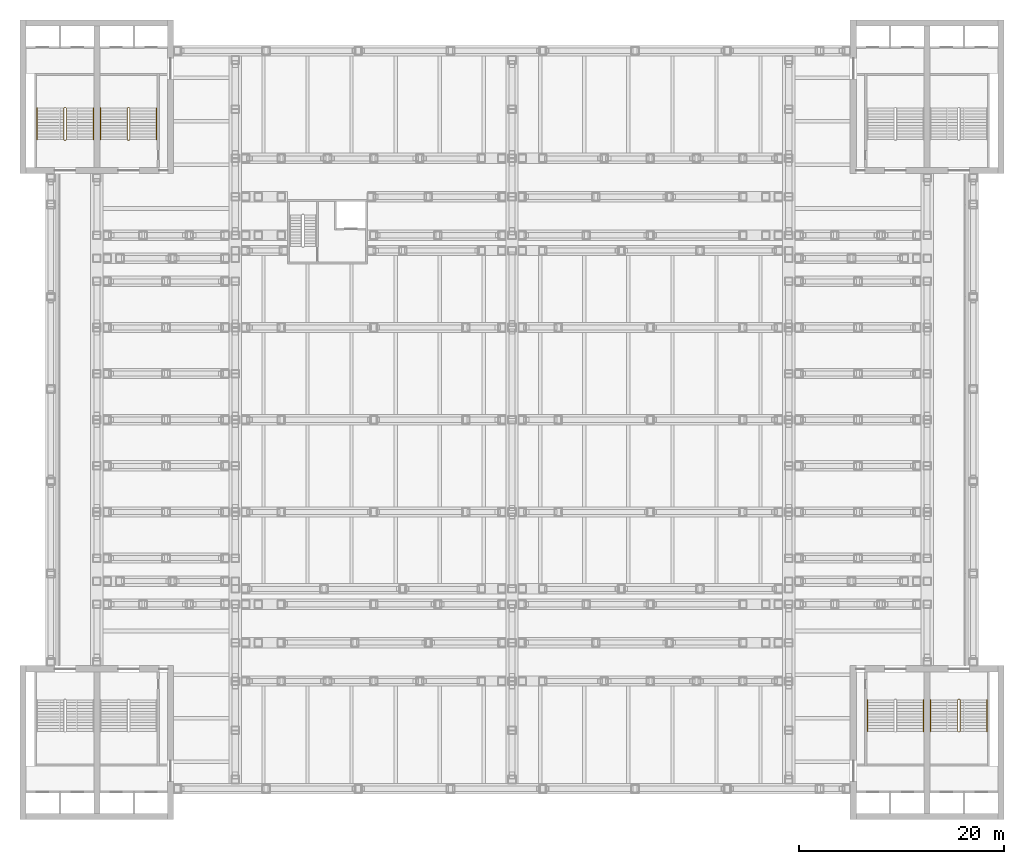
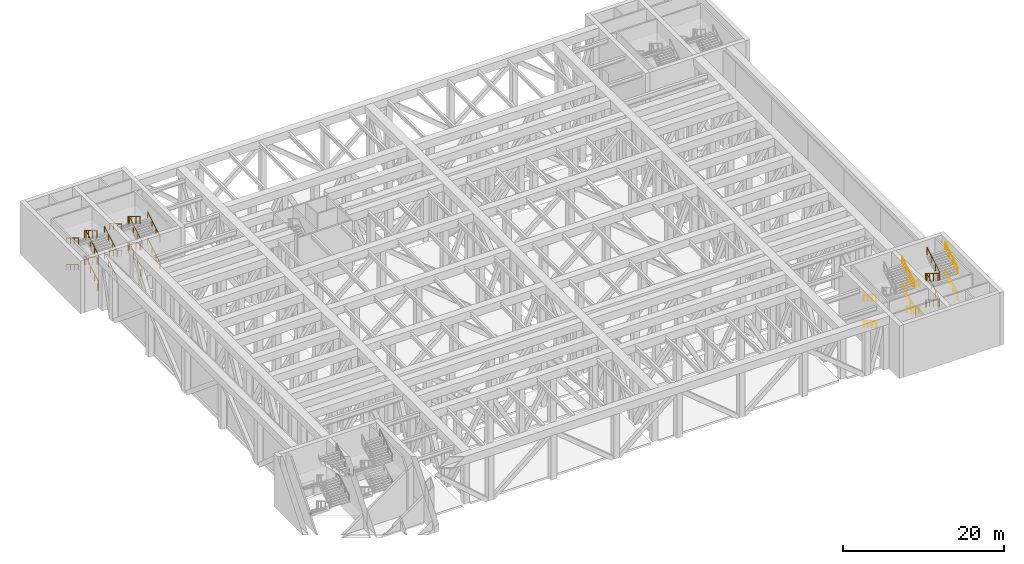
# One storey, part 19 of 20: 7 railings.
"""IFC4 building model written with IfcOpenShell, lengths in metres."""

import ifcopenshell
import ifcopenshell.guid

model = None  # the IFC model being written
_history = None  # IfcOwnerHistory: only IFC2X3 demands one
_inside = {}  # id of a spatial element -> (the spatial element, [elements in it])
_under = {}  # id of a project, library or spatial element -> (it, [spatial elements below it])
_declared = {}  # id of a project -> (the project, [libraries it declares])
_typed = {}  # id of a type object -> (the type object, [elements of that type])
_made_of = {}  # id of a material, layer set ... -> (it, [elements and type objects made of it])


def new_model(schema):
    """Start an empty IFC model of exactly this schema.

    Asked for "IFC4X3", IfcOpenShell would pick the latest addendum, in which some entities
    have other attributes; the version numbers below select the first issue.
    IFC2X3 requires an IfcOwnerHistory on every rooted entity: one is made here for all.
    """
    global model, _history
    if schema == "IFC4X3":
        model = ifcopenshell.file(schema_version=(4, 3, 0, 0))
    else:
        model = ifcopenshell.file(schema=schema)
    _inside.clear()
    _under.clear()
    _declared.clear()
    _typed.clear()
    _made_of.clear()
    _history = None
    if model.schema == "IFC2X3":
        org = make("IfcOrganization", Name="unknown")
        user = make(
            "IfcPersonAndOrganization",
            ThePerson=make("IfcPerson", FamilyName="unknown"),
            TheOrganization=org,
        )
        app = make(
            "IfcApplication",
            ApplicationDeveloper=org,
            Version="unknown",
            ApplicationFullName="unknown",
            ApplicationIdentifier="unknown",
        )
        _history = make(
            "IfcOwnerHistory",
            OwningUser=user,
            OwningApplication=app,
            ChangeAction="ADDED",
            CreationDate=0,
        )
    return model


def make(cls, **values):
    """One entity of the class cls with the attributes given. An attribute that is None is left unset."""
    return model.create_entity(
        cls, **{name: value for name, value in values.items() if value is not None}
    )


def rooted(cls, **values):
    """An entity with a GlobalId (a new one), such as an element, a storey or a relation."""
    return make(cls, GlobalId=ifcopenshell.guid.new(), OwnerHistory=_history, **values)


def si_unit(unit_type, name, prefix=None):
    """IfcSIUnit, for example si_unit("LENGTHUNIT", "METRE", prefix="MILLI")."""
    return make("IfcSIUnit", UnitType=unit_type, Prefix=prefix, Name=name)


def assignment(units):
    """IfcUnitAssignment: the units of a project."""
    return None if units is None else make("IfcUnitAssignment", Units=units)


def point(xyz):
    """IfcCartesianPoint."""
    return None if xyz is None else make("IfcCartesianPoint", Coordinates=xyz)


def direction(xyz):
    """IfcDirection."""
    return None if xyz is None else make("IfcDirection", DirectionRatios=xyz)


def frame(location, z_axis=None, x_axis=None):
    """IfcAxis2Placement3D, a coordinate frame: its origin and axes. An axis left out is left unset."""
    return make(
        "IfcAxis2Placement3D",
        Location=point(location),
        Axis=direction(z_axis),
        RefDirection=direction(x_axis),
    )


def frame_2d(location, x_axis=None):
    """IfcAxis2Placement2D, a coordinate frame in the plane: its origin and x axis."""
    return make(
        "IfcAxis2Placement2D", Location=point(location), RefDirection=direction(x_axis)
    )


def origin():
    """The frame at (0, 0, 0) with its axes left unset."""
    return frame((0.0, 0.0, 0.0))


def origin_2d():
    """The frame at (0, 0) in the plane with its x axis left unset."""
    return frame_2d((0.0, 0.0))


def place(relative_to, where):
    """IfcLocalPlacement: puts the frame where relative to a parent placement (None: the world)."""
    return make(
        "IfcLocalPlacement", PlacementRelTo=relative_to, RelativePlacement=where
    )


def context(
    kind, dimensions, precision=None, world=None, true_north=None, identifier=None
):
    """IfcGeometricRepresentationContext, for example the 3D "Model" context."""
    return make(
        "IfcGeometricRepresentationContext",
        ContextIdentifier=identifier,
        ContextType=kind,
        CoordinateSpaceDimension=dimensions,
        Precision=precision,
        WorldCoordinateSystem=world,
        TrueNorth=true_north,
    )


def subcontext(parent, identifier, kind, view, scale=None):
    """IfcGeometricRepresentationSubContext, for example "Body" below "Model"."""
    return make(
        "IfcGeometricRepresentationSubContext",
        ContextIdentifier=identifier,
        ContextType=kind,
        ParentContext=parent,
        TargetScale=scale,
        TargetView=view,
    )


def project(units=None, contexts=None):
    """IfcProject with its units and contexts."""
    return rooted(
        "IfcProject",
        Name="project",
        RepresentationContexts=contexts,
        UnitsInContext=assignment(units),
    )


def spatial(cls, under=None, at=None, **own):
    """A site, building, storey or space (cls), placed at a placement, below another one or the project."""
    s = rooted(cls, ObjectPlacement=at, **own)
    if under is not None:
        _under.setdefault(under.id(), (under, []))[1].append(s)
    return s


def profile(cls, at=None, kind="AREA", **sizes):
    """A parametric profile (cls). Its sizes go by their IFC names, for example OverallWidth=200.0."""
    return make(cls, ProfileType=kind, Position=at, **sizes)


def circle(**sizes):
    """IfcCircleProfileDef."""
    return profile("IfcCircleProfileDef", **sizes)


def extrude(swept, where, along, depth):
    """IfcExtrudedAreaSolid: the profile swept, set in the frame where, extruded along a direction by depth."""
    return make(
        "IfcExtrudedAreaSolid",
        SweptArea=swept,
        Position=where,
        ExtrudedDirection=direction(along),
        Depth=depth,
    )


def shape(context_of_items, identifier, shape_type, items):
    """IfcShapeRepresentation: the items that make up one representation, for example the "Body"."""
    return make(
        "IfcShapeRepresentation",
        ContextOfItems=context_of_items,
        RepresentationIdentifier=identifier,
        RepresentationType=shape_type,
        Items=items,
    )


def material(Name=None, Category=None):
    """IfcMaterial."""
    return make("IfcMaterial", Name=Name, Category=Category)


def made_of(thing, what):
    """Note that an element or type object is made of a material, layer set ...; save() writes the relation."""
    if what is not None:
        _made_of.setdefault(what.id(), (what, []))[1].append(thing)
    return thing


def type_object(cls, material=None, **own):
    """A type object (cls), such as IfcWallType, which elements share."""
    return made_of(rooted(cls, **own), material)


def element(
    cls,
    number,
    at=None,
    inside=None,
    cuts=None,
    type_object=None,
    material=None,
    context=None,
    identifier="Body",
    shape_type=None,
    held_by="IfcProductDefinitionShape",
    body=None,
    shapes=None,
    **own,
):
    """One element of the class cls, such as IfcWall. Its Tag is "e" and its number.

    at: its placement. inside: the storey or other place that contains it. cuts: it is an
    opening in that element (IfcRelVoidsElement). A single representation is given by context,
    identifier, shape_type and body (its items); several are given by shapes. held_by: the class
    of the entity that holds the representations. save() writes the other relations.
    """
    e = rooted(cls, Tag="e%d" % number, ObjectPlacement=at, **own)
    if body is not None:
        shapes = [shape(context, identifier, shape_type, body)]
    if shapes is not None:
        e.Representation = make(held_by, Representations=shapes)
    if inside is not None:
        _inside.setdefault(inside.id(), (inside, []))[1].append(e)
    if cuts is not None:
        rooted(
            "IfcRelVoidsElement", RelatingBuildingElement=cuts, RelatedOpeningElement=e
        )
    if type_object is not None:
        _typed.setdefault(type_object.id(), (type_object, []))[1].append(e)
    return made_of(e, material)


def aggregate(whole, parts):
    """IfcRelAggregates: a whole, such as a stair, and the parts it consists of."""
    return rooted("IfcRelAggregates", RelatingObject=whole, RelatedObjects=parts)


def save(model, path):
    """Write the relations noted so far, then the file.

    IfcRelAggregates (storeys below a building ...), IfcRelContainedInSpatialStructure (elements
    in a storey), IfcRelDefinesByType, IfcRelAssociatesMaterial and IfcRelDeclares: one each for
    every whole, place, type object, material and project.
    """
    for whole, parts in _under.values():
        aggregate(whole, parts)
    for where, things in _inside.values():
        rooted(
            "IfcRelContainedInSpatialStructure",
            RelatedElements=things,
            RelatingStructure=where,
        )
    for kind, things in _typed.values():
        rooted("IfcRelDefinesByType", RelatedObjects=things, RelatingType=kind)
    for what, things in _made_of.values():
        rooted("IfcRelAssociatesMaterial", RelatedObjects=things, RelatingMaterial=what)
    for by, libraries in _declared.values():
        rooted("IfcRelDeclares", RelatingContext=by, RelatedDefinitions=libraries)
    model.write(path)


model = new_model("IFC4")

# Units and contexts
model_context = context("Model", 3, precision=1e-05, world=origin(), true_north=direction((0.0, 1.0)))
body_context = subcontext(model_context, "Body", "Model", "MODEL_VIEW")
ifc_project = project(units=[si_unit("LENGTHUNIT", "METRE"), si_unit("AREAUNIT", "SQUARE_METRE"), si_unit("VOLUMEUNIT", "CUBIC_METRE"), si_unit("PLANEANGLEUNIT", "RADIAN"), si_unit("MASSUNIT", "GRAM", prefix="KILO")], contexts=[model_context])

# Site, building, storey
site_placement = place(None, origin())
site = spatial("IfcSite", under=ifc_project, at=site_placement, CompositionType="ELEMENT")
building_placement = place(site_placement, origin())
building = spatial("IfcBuilding", under=site, at=building_placement, Name="Corbelhall Arena Tower", CompositionType="ELEMENT")
storey_placement = place(building_placement, frame((0.0, 0.0, 44.0)))
storey = spatial("IfcBuildingStorey", under=building, at=storey_placement, Name="L06", CompositionType="ELEMENT", Elevation=44.0)

# Railings
ifc_material = material(Name="Stainless steel A4", Category="steel")
railing_type_1 = type_object("IfcRailingType", Name="AR-STAIR-GUARD", PredefinedType="GUARDRAIL", material=ifc_material)
railing_1_placement = place(storey_placement, frame((-37.280029296875, 27.320068359375, 0.166748046875)))
element("IfcRailing", 1, at=railing_1_placement, inside=storey, type_object=railing_type_1, Name="L06 AS3 stair guards", PredefinedType="GUARDRAIL", context=body_context, shape_type="SweptSolid", body=[
    extrude(circle(Radius=0.02392578125, at=origin_2d()), frame((0.0, 0.0, 1.076171875), z_axis=(0.0, 0.859290745958, 0.51148745235), x_axis=(-1.0, 0.0, 0.0)), (0.0, 0.0, 1.0), 3.584228515625),
    extrude(circle(Radius=0.02392578125, at=origin_2d()), frame((-0.050048828125, 3.1298828125, 2.9091796875), z_axis=(-1.0, 0.0, 0.0), x_axis=(0.0, -1.0, 0.0)), (0.0, 0.0, 1.0), 0.14990234375),
    extrude(circle(Radius=0.02392578125, at=origin_2d()), frame((-0.25, 3.079833984375, 3.076171875), z_axis=(0.0, -0.859290745958, 0.51148745235), x_axis=(1.0, 0.0, 0.0)), (0.0, 0.0, 1.0), 3.584228515625),
    extrude(circle(Radius=0.02392578125, at=origin_2d()), frame((-0.050048828125, -0.050048828125, 4.9091796875), z_axis=(-1.0, 0.0, 0.0), x_axis=(0.0, -1.0, 0.0)), (0.0, 0.0, 1.0), 0.14990234375),
    extrude(circle(Radius=0.02392578125, at=origin_2d()), frame((0.0, 0.0, 5.076171875), z_axis=(0.0, 0.859290745958, 0.51148745235), x_axis=(-1.0, 0.0, 0.0)), (0.0, 0.0, 1.0), 3.584228515625),
    extrude(circle(Radius=0.02392578125, at=origin_2d()), frame((-0.050048828125, 3.1298828125, 6.9091796875), z_axis=(-1.0, 0.0, 0.0), x_axis=(0.0, -1.0, 0.0)), (0.0, 0.0, 1.0), 0.14990234375),
    extrude(circle(Radius=0.02392578125, at=origin_2d()), frame((-0.25, 3.079833984375, 7.076171875), z_axis=(0.0, -0.859290745958, 0.51148745235), x_axis=(1.0, 0.0, 0.0)), (0.0, 0.0, 1.0), 3.584228515625),
    extrude(circle(Radius=0.02392578125, at=origin_2d()), frame((-0.050048828125, -0.050048828125, 0.9091796875), z_axis=(-1.0, 0.0, 0.0), x_axis=(0.0, -1.0, 0.0)), (0.0, 0.0, 1.0), 0.14990234375),
    extrude(circle(Radius=0.02099609375, at=origin_2d()), origin(), (0.0, 0.0, 1.0), 1.052001953125),
    extrude(circle(Radius=0.02099609375, at=origin_2d()), frame((0.0, 1.026611328125, 0.611083984375)), (0.0, 0.0, 1.0), 1.052001953125),
    extrude(circle(Radius=0.02099609375, at=origin_2d()), frame((0.0, 2.05322265625, 1.22216796875)), (0.0, 0.0, 1.0), 1.052001953125),
    extrude(circle(Radius=0.02099609375, at=origin_2d()), frame((0.0, 3.079833984375, 1.833251953125)), (0.0, 0.0, 1.0), 1.052001953125),
    extrude(circle(Radius=0.02099609375, at=origin_2d()), frame((-0.050048828125, 3.1298828125, 1.833251953125)), (0.0, 0.0, 1.0), 1.052001953125),
    extrude(circle(Radius=0.02099609375, at=origin_2d()), frame((-0.199951171875, 3.1298828125, 1.833251953125)), (0.0, 0.0, 1.0), 1.052001953125),
    extrude(circle(Radius=0.02099609375, at=origin_2d()), frame((-0.25, 3.079833984375, 2.0)), (0.0, 0.0, 1.0), 1.052001953125),
    extrude(circle(Radius=0.02099609375, at=origin_2d()), frame((-0.25, 2.05322265625, 2.611083984375)), (0.0, 0.0, 1.0), 1.052001953125),
    extrude(circle(Radius=0.02099609375, at=origin_2d()), frame((-0.25, 1.026611328125, 3.22216796875)), (0.0, 0.0, 1.0), 1.052001953125),
    extrude(circle(Radius=0.02099609375, at=origin_2d()), frame((-0.25, 0.0, 3.833251953125)), (0.0, 0.0, 1.0), 1.052001953125),
    extrude(circle(Radius=0.02099609375, at=origin_2d()), frame((-0.050048828125, -0.050048828125, 3.833251953125)), (0.0, 0.0, 1.0), 1.052001953125),
    extrude(circle(Radius=0.02099609375, at=origin_2d()), frame((-0.199951171875, -0.050048828125, 3.833251953125)), (0.0, 0.0, 1.0), 1.052001953125),
    extrude(circle(Radius=0.02099609375, at=origin_2d()), frame((0.0, 0.0, 4.0)), (0.0, 0.0, 1.0), 1.052001953125),
    extrude(circle(Radius=0.02099609375, at=origin_2d()), frame((0.0, 1.026611328125, 4.611083984375)), (0.0, 0.0, 1.0), 1.052001953125),
    extrude(circle(Radius=0.02099609375, at=origin_2d()), frame((0.0, 2.05322265625, 5.22216796875)), (0.0, 0.0, 1.0), 1.052001953125),
    extrude(circle(Radius=0.02099609375, at=origin_2d()), frame((0.0, 3.079833984375, 5.833251953125)), (0.0, 0.0, 1.0), 1.052001953125),
    extrude(circle(Radius=0.02099609375, at=origin_2d()), frame((-0.050048828125, 3.1298828125, 5.833251953125)), (0.0, 0.0, 1.0), 1.052001953125),
    extrude(circle(Radius=0.02099609375, at=origin_2d()), frame((-0.199951171875, 3.1298828125, 5.833251953125)), (0.0, 0.0, 1.0), 1.052001953125),
    extrude(circle(Radius=0.02099609375, at=origin_2d()), frame((-0.25, 3.079833984375, 6.0)), (0.0, 0.0, 1.0), 1.052001953125),
    extrude(circle(Radius=0.02099609375, at=origin_2d()), frame((-0.25, 2.05322265625, 6.611083984375)), (0.0, 0.0, 1.0), 1.052001953125),
    extrude(circle(Radius=0.02099609375, at=origin_2d()), frame((-0.25, 1.026611328125, 7.22216796875)), (0.0, 0.0, 1.0), 1.052001953125),
    extrude(circle(Radius=0.02099609375, at=origin_2d()), frame((-0.25, 0.0, 7.833251953125)), (0.0, 0.0, 1.0), 1.052001953125),
    extrude(circle(Radius=0.02099609375, at=origin_2d()), frame((-0.050048828125, -0.050048828125, -0.166748046875)), (0.0, 0.0, 1.0), 1.052001953125),
    extrude(circle(Radius=0.02099609375, at=origin_2d()), frame((-0.199951171875, -0.050048828125, -0.166748046875)), (0.0, 0.0, 1.0), 1.052001953125),
])
railing_2_placement = place(storey_placement, frame((-43.469970703125, 27.320068359375, 0.166748046875)))
element("IfcRailing", 2, at=railing_2_placement, inside=storey, type_object=railing_type_1, Name="L06 AS4 stair guards", PredefinedType="GUARDRAIL", context=body_context, shape_type="SweptSolid", body=[
    extrude(circle(Radius=0.02392578125, at=origin_2d()), frame((0.0, 0.0, 1.076171875), z_axis=(0.0, 0.859290745958, 0.51148745235), x_axis=(-1.0, 0.0, 0.0)), (0.0, 0.0, 1.0), 3.584228515625),
    extrude(circle(Radius=0.02392578125, at=origin_2d()), frame((-0.050048828125, 3.1298828125, 2.9091796875), z_axis=(-1.0, 0.0, 0.0), x_axis=(0.0, -1.0, 0.0)), (0.0, 0.0, 1.0), 0.14990234375),
    extrude(circle(Radius=0.02392578125, at=origin_2d()), frame((-0.25, 3.079833984375, 3.076171875), z_axis=(0.0, -0.859290745958, 0.51148745235), x_axis=(1.0, 0.0, 0.0)), (0.0, 0.0, 1.0), 3.584228515625),
    extrude(circle(Radius=0.02392578125, at=origin_2d()), frame((-0.050048828125, -0.050048828125, 4.9091796875), z_axis=(-1.0, 0.0, 0.0), x_axis=(0.0, -1.0, 0.0)), (0.0, 0.0, 1.0), 0.14990234375),
    extrude(circle(Radius=0.02392578125, at=origin_2d()), frame((0.0, 0.0, 5.076171875), z_axis=(0.0, 0.859290745958, 0.51148745235), x_axis=(-1.0, 0.0, 0.0)), (0.0, 0.0, 1.0), 3.584228515625),
    extrude(circle(Radius=0.02392578125, at=origin_2d()), frame((-0.050048828125, 3.1298828125, 6.9091796875), z_axis=(-1.0, 0.0, 0.0), x_axis=(0.0, -1.0, 0.0)), (0.0, 0.0, 1.0), 0.14990234375),
    extrude(circle(Radius=0.02392578125, at=origin_2d()), frame((-0.25, 3.079833984375, 7.076171875), z_axis=(0.0, -0.859290745958, 0.51148745235), x_axis=(1.0, 0.0, 0.0)), (0.0, 0.0, 1.0), 3.584228515625),
    extrude(circle(Radius=0.02392578125, at=origin_2d()), frame((-0.050048828125, -0.050048828125, 0.9091796875), z_axis=(-1.0, 0.0, 0.0), x_axis=(0.0, -1.0, 0.0)), (0.0, 0.0, 1.0), 0.14990234375),
    extrude(circle(Radius=0.02099609375, at=origin_2d()), origin(), (0.0, 0.0, 1.0), 1.052001953125),
    extrude(circle(Radius=0.02099609375, at=origin_2d()), frame((0.0, 1.026611328125, 0.611083984375)), (0.0, 0.0, 1.0), 1.052001953125),
    extrude(circle(Radius=0.02099609375, at=origin_2d()), frame((0.0, 2.05322265625, 1.22216796875)), (0.0, 0.0, 1.0), 1.052001953125),
    extrude(circle(Radius=0.02099609375, at=origin_2d()), frame((0.0, 3.079833984375, 1.833251953125)), (0.0, 0.0, 1.0), 1.052001953125),
    extrude(circle(Radius=0.02099609375, at=origin_2d()), frame((-0.050048828125, 3.1298828125, 1.833251953125)), (0.0, 0.0, 1.0), 1.052001953125),
    extrude(circle(Radius=0.02099609375, at=origin_2d()), frame((-0.199951171875, 3.1298828125, 1.833251953125)), (0.0, 0.0, 1.0), 1.052001953125),
    extrude(circle(Radius=0.02099609375, at=origin_2d()), frame((-0.25, 3.079833984375, 2.0)), (0.0, 0.0, 1.0), 1.052001953125),
    extrude(circle(Radius=0.02099609375, at=origin_2d()), frame((-0.25, 2.05322265625, 2.611083984375)), (0.0, 0.0, 1.0), 1.052001953125),
    extrude(circle(Radius=0.02099609375, at=origin_2d()), frame((-0.25, 1.026611328125, 3.22216796875)), (0.0, 0.0, 1.0), 1.052001953125),
    extrude(circle(Radius=0.02099609375, at=origin_2d()), frame((-0.25, 0.0, 3.833251953125)), (0.0, 0.0, 1.0), 1.052001953125),
    extrude(circle(Radius=0.02099609375, at=origin_2d()), frame((-0.050048828125, -0.050048828125, 3.833251953125)), (0.0, 0.0, 1.0), 1.052001953125),
    extrude(circle(Radius=0.02099609375, at=origin_2d()), frame((-0.199951171875, -0.050048828125, 3.833251953125)), (0.0, 0.0, 1.0), 1.052001953125),
    extrude(circle(Radius=0.02099609375, at=origin_2d()), frame((0.0, 0.0, 4.0)), (0.0, 0.0, 1.0), 1.052001953125),
    extrude(circle(Radius=0.02099609375, at=origin_2d()), frame((0.0, 1.026611328125, 4.611083984375)), (0.0, 0.0, 1.0), 1.052001953125),
    extrude(circle(Radius=0.02099609375, at=origin_2d()), frame((0.0, 2.05322265625, 5.22216796875)), (0.0, 0.0, 1.0), 1.052001953125),
    extrude(circle(Radius=0.02099609375, at=origin_2d()), frame((0.0, 3.079833984375, 5.833251953125)), (0.0, 0.0, 1.0), 1.052001953125),
    extrude(circle(Radius=0.02099609375, at=origin_2d()), frame((-0.050048828125, 3.1298828125, 5.833251953125)), (0.0, 0.0, 1.0), 1.052001953125),
    extrude(circle(Radius=0.02099609375, at=origin_2d()), frame((-0.199951171875, 3.1298828125, 5.833251953125)), (0.0, 0.0, 1.0), 1.052001953125),
    extrude(circle(Radius=0.02099609375, at=origin_2d()), frame((-0.25, 3.079833984375, 6.0)), (0.0, 0.0, 1.0), 1.052001953125),
    extrude(circle(Radius=0.02099609375, at=origin_2d()), frame((-0.25, 2.05322265625, 6.611083984375)), (0.0, 0.0, 1.0), 1.052001953125),
    extrude(circle(Radius=0.02099609375, at=origin_2d()), frame((-0.25, 1.026611328125, 7.22216796875)), (0.0, 0.0, 1.0), 1.052001953125),
    extrude(circle(Radius=0.02099609375, at=origin_2d()), frame((-0.25, 0.0, 7.833251953125)), (0.0, 0.0, 1.0), 1.052001953125),
    extrude(circle(Radius=0.02099609375, at=origin_2d()), frame((-0.050048828125, -0.050048828125, -0.166748046875)), (0.0, 0.0, 1.0), 1.052001953125),
    extrude(circle(Radius=0.02099609375, at=origin_2d()), frame((-0.199951171875, -0.050048828125, -0.166748046875)), (0.0, 0.0, 1.0), 1.052001953125),
])
railing_3_placement = place(storey_placement, frame((43.469970703125, -27.320068359375, 0.166748046875)))
element("IfcRailing", 3, at=railing_3_placement, inside=storey, type_object=railing_type_1, Name="L06 AS6 stair guards", PredefinedType="GUARDRAIL", context=body_context, shape_type="SweptSolid", body=[
    extrude(circle(Radius=0.02392578125, at=origin_2d()), frame((0.0, 0.0, 1.076171875), z_axis=(0.0, -0.859290745958, 0.51148745235), x_axis=(1.0, 0.0, 0.0)), (0.0, 0.0, 1.0), 3.584228515625),
    extrude(circle(Radius=0.02392578125, at=origin_2d()), frame((0.050048828125, -3.1298828125, 2.9091796875), z_axis=(1.0, 0.0, 0.0), x_axis=(0.0, 1.0, 0.0)), (0.0, 0.0, 1.0), 0.14990234375),
    extrude(circle(Radius=0.02392578125, at=origin_2d()), frame((0.25, -3.079833984375, 3.076171875), z_axis=(0.0, 0.859290745958, 0.51148745235), x_axis=(-1.0, 0.0, 0.0)), (0.0, 0.0, 1.0), 3.584228515625),
    extrude(circle(Radius=0.02392578125, at=origin_2d()), frame((0.050048828125, 0.050048828125, 4.9091796875), z_axis=(1.0, 0.0, 0.0), x_axis=(0.0, 1.0, 0.0)), (0.0, 0.0, 1.0), 0.14990234375),
    extrude(circle(Radius=0.02392578125, at=origin_2d()), frame((0.0, 0.0, 5.076171875), z_axis=(0.0, -0.859290745958, 0.51148745235), x_axis=(1.0, 0.0, 0.0)), (0.0, 0.0, 1.0), 3.584228515625),
    extrude(circle(Radius=0.02392578125, at=origin_2d()), frame((0.050048828125, -3.1298828125, 6.9091796875), z_axis=(1.0, 0.0, 0.0), x_axis=(0.0, 1.0, 0.0)), (0.0, 0.0, 1.0), 0.14990234375),
    extrude(circle(Radius=0.02392578125, at=origin_2d()), frame((0.25, -3.079833984375, 7.076171875), z_axis=(0.0, 0.859290745958, 0.51148745235), x_axis=(-1.0, 0.0, 0.0)), (0.0, 0.0, 1.0), 3.584228515625),
    extrude(circle(Radius=0.02392578125, at=origin_2d()), frame((0.050048828125, 0.050048828125, 0.9091796875), z_axis=(1.0, 0.0, 0.0), x_axis=(0.0, 1.0, 0.0)), (0.0, 0.0, 1.0), 0.14990234375),
    extrude(circle(Radius=0.02099609375, at=origin_2d()), origin(), (0.0, 0.0, 1.0), 1.052001953125),
    extrude(circle(Radius=0.02099609375, at=origin_2d()), frame((0.0, -1.026611328125, 0.611083984375)), (0.0, 0.0, 1.0), 1.052001953125),
    extrude(circle(Radius=0.02099609375, at=origin_2d()), frame((0.0, -2.05322265625, 1.22216796875)), (0.0, 0.0, 1.0), 1.052001953125),
    extrude(circle(Radius=0.02099609375, at=origin_2d()), frame((0.0, -3.079833984375, 1.833251953125)), (0.0, 0.0, 1.0), 1.052001953125),
    extrude(circle(Radius=0.02099609375, at=origin_2d()), frame((0.050048828125, -3.1298828125, 1.833251953125)), (0.0, 0.0, 1.0), 1.052001953125),
    extrude(circle(Radius=0.02099609375, at=origin_2d()), frame((0.199951171875, -3.1298828125, 1.833251953125)), (0.0, 0.0, 1.0), 1.052001953125),
    extrude(circle(Radius=0.02099609375, at=origin_2d()), frame((0.25, -3.079833984375, 2.0)), (0.0, 0.0, 1.0), 1.052001953125),
    extrude(circle(Radius=0.02099609375, at=origin_2d()), frame((0.25, -2.05322265625, 2.611083984375)), (0.0, 0.0, 1.0), 1.052001953125),
    extrude(circle(Radius=0.02099609375, at=origin_2d()), frame((0.25, -1.026611328125, 3.22216796875)), (0.0, 0.0, 1.0), 1.052001953125),
    extrude(circle(Radius=0.02099609375, at=origin_2d()), frame((0.25, 0.0, 3.833251953125)), (0.0, 0.0, 1.0), 1.052001953125),
    extrude(circle(Radius=0.02099609375, at=origin_2d()), frame((0.050048828125, 0.050048828125, 3.833251953125)), (0.0, 0.0, 1.0), 1.052001953125),
    extrude(circle(Radius=0.02099609375, at=origin_2d()), frame((0.199951171875, 0.050048828125, 3.833251953125)), (0.0, 0.0, 1.0), 1.052001953125),
    extrude(circle(Radius=0.02099609375, at=origin_2d()), frame((0.0, 0.0, 4.0)), (0.0, 0.0, 1.0), 1.052001953125),
    extrude(circle(Radius=0.02099609375, at=origin_2d()), frame((0.0, -1.026611328125, 4.611083984375)), (0.0, 0.0, 1.0), 1.052001953125),
    extrude(circle(Radius=0.02099609375, at=origin_2d()), frame((0.0, -2.05322265625, 5.22216796875)), (0.0, 0.0, 1.0), 1.052001953125),
    extrude(circle(Radius=0.02099609375, at=origin_2d()), frame((0.0, -3.079833984375, 5.833251953125)), (0.0, 0.0, 1.0), 1.052001953125),
    extrude(circle(Radius=0.02099609375, at=origin_2d()), frame((0.050048828125, -3.1298828125, 5.833251953125)), (0.0, 0.0, 1.0), 1.052001953125),
    extrude(circle(Radius=0.02099609375, at=origin_2d()), frame((0.199951171875, -3.1298828125, 5.833251953125)), (0.0, 0.0, 1.0), 1.052001953125),
    extrude(circle(Radius=0.02099609375, at=origin_2d()), frame((0.25, -3.079833984375, 6.0)), (0.0, 0.0, 1.0), 1.052001953125),
    extrude(circle(Radius=0.02099609375, at=origin_2d()), frame((0.25, -2.05322265625, 6.611083984375)), (0.0, 0.0, 1.0), 1.052001953125),
    extrude(circle(Radius=0.02099609375, at=origin_2d()), frame((0.25, -1.026611328125, 7.22216796875)), (0.0, 0.0, 1.0), 1.052001953125),
    extrude(circle(Radius=0.02099609375, at=origin_2d()), frame((0.25, 0.0, 7.833251953125)), (0.0, 0.0, 1.0), 1.052001953125),
    extrude(circle(Radius=0.02099609375, at=origin_2d()), frame((0.050048828125, 0.050048828125, -0.166748046875)), (0.0, 0.0, 1.0), 1.052001953125),
    extrude(circle(Radius=0.02099609375, at=origin_2d()), frame((0.199951171875, 0.050048828125, -0.166748046875)), (0.0, 0.0, 1.0), 1.052001953125),
])
railing_type_2 = type_object("IfcRailingType", Name="AR-STAIR-HANDRAIL", PredefinedType="HANDRAIL", material=ifc_material)
railing_4_placement = place(storey_placement, frame((-34.659912109375, 27.320068359375, 0.166748046875)))
element("IfcRailing", 4, at=railing_4_placement, inside=storey, type_object=railing_type_2, Name="L06 AS3 stair handrails", PredefinedType="HANDRAIL", context=body_context, shape_type="SweptSolid", body=[
    extrude(circle(Radius=0.02392578125, at=origin_2d()), frame((0.0, 0.0, 0.8759765625), z_axis=(0.0, 0.859290745958, 0.51148745235), x_axis=(-1.0, 0.0, 0.0)), (0.0, 0.0, 1.0), 3.584228515625),
    extrude(circle(Radius=0.02392578125, at=origin_2d()), frame((-5.489990234375, 3.079833984375, 2.8759765625), z_axis=(0.0, -0.859290745958, 0.51148745235), x_axis=(1.0, 0.0, 0.0)), (0.0, 0.0, 1.0), 3.584228515625),
    extrude(circle(Radius=0.02392578125, at=origin_2d()), frame((0.0, 0.0, 4.8759765625), z_axis=(0.0, 0.859290745958, 0.51148745235), x_axis=(-1.0, 0.0, 0.0)), (0.0, 0.0, 1.0), 3.584228515625),
    extrude(circle(Radius=0.02392578125, at=origin_2d()), frame((-5.489990234375, 3.079833984375, 6.8759765625), z_axis=(0.0, -0.859290745958, 0.51148745235), x_axis=(1.0, 0.0, 0.0)), (0.0, 0.0, 1.0), 3.584228515625),
    extrude(circle(Radius=0.02099609375, at=origin_2d()), origin(), (0.0, 0.0, 1.0), 0.851806640625),
    extrude(circle(Radius=0.02099609375, at=origin_2d()), frame((0.0, 1.026611328125, 0.611083984375)), (0.0, 0.0, 1.0), 0.851806640625),
    extrude(circle(Radius=0.02099609375, at=origin_2d()), frame((0.0, 2.05322265625, 1.22216796875)), (0.0, 0.0, 1.0), 0.851806640625),
    extrude(circle(Radius=0.02099609375, at=origin_2d()), frame((0.0, 3.079833984375, 1.833251953125)), (0.0, 0.0, 1.0), 0.851806640625),
    extrude(circle(Radius=0.02099609375, at=origin_2d()), frame((-5.489990234375, 3.079833984375, 2.0)), (0.0, 0.0, 1.0), 0.851806640625),
    extrude(circle(Radius=0.02099609375, at=origin_2d()), frame((-5.489990234375, 2.05322265625, 2.611083984375)), (0.0, 0.0, 1.0), 0.851806640625),
    extrude(circle(Radius=0.02099609375, at=origin_2d()), frame((-5.489990234375, 1.026611328125, 3.22216796875)), (0.0, 0.0, 1.0), 0.851806640625),
    extrude(circle(Radius=0.02099609375, at=origin_2d()), frame((-5.489990234375, 0.0, 3.833251953125)), (0.0, 0.0, 1.0), 0.851806640625),
    extrude(circle(Radius=0.02099609375, at=origin_2d()), frame((0.0, 0.0, 4.0)), (0.0, 0.0, 1.0), 0.851806640625),
    extrude(circle(Radius=0.02099609375, at=origin_2d()), frame((0.0, 1.026611328125, 4.611083984375)), (0.0, 0.0, 1.0), 0.851806640625),
    extrude(circle(Radius=0.02099609375, at=origin_2d()), frame((0.0, 2.05322265625, 5.22216796875)), (0.0, 0.0, 1.0), 0.851806640625),
    extrude(circle(Radius=0.02099609375, at=origin_2d()), frame((0.0, 3.079833984375, 5.833251953125)), (0.0, 0.0, 1.0), 0.851806640625),
    extrude(circle(Radius=0.02099609375, at=origin_2d()), frame((-5.489990234375, 3.079833984375, 6.0)), (0.0, 0.0, 1.0), 0.851806640625),
    extrude(circle(Radius=0.02099609375, at=origin_2d()), frame((-5.489990234375, 2.05322265625, 6.611083984375)), (0.0, 0.0, 1.0), 0.851806640625),
    extrude(circle(Radius=0.02099609375, at=origin_2d()), frame((-5.489990234375, 1.026611328125, 7.22216796875)), (0.0, 0.0, 1.0), 0.851806640625),
    extrude(circle(Radius=0.02099609375, at=origin_2d()), frame((-5.489990234375, 0.0, 7.833251953125)), (0.0, 0.0, 1.0), 0.851806640625),
])
railing_5_placement = place(storey_placement, frame((-40.85009765625, 27.320068359375, 0.166748046875)))
element("IfcRailing", 5, at=railing_5_placement, inside=storey, type_object=railing_type_2, Name="L06 AS4 stair handrails", PredefinedType="HANDRAIL", context=body_context, shape_type="SweptSolid", body=[
    extrude(circle(Radius=0.02392578125, at=origin_2d()), frame((0.0, 0.0, 0.8759765625), z_axis=(0.0, 0.859290745958, 0.51148745235), x_axis=(-1.0, 0.0, 0.0)), (0.0, 0.0, 1.0), 3.584228515625),
    extrude(circle(Radius=0.02392578125, at=origin_2d()), frame((-5.489990234375, 3.079833984375, 2.8759765625), z_axis=(0.0, -0.859290745958, 0.51148745235), x_axis=(1.0, 0.0, 0.0)), (0.0, 0.0, 1.0), 3.584228515625),
    extrude(circle(Radius=0.02392578125, at=origin_2d()), frame((0.0, 0.0, 4.8759765625), z_axis=(0.0, 0.859290745958, 0.51148745235), x_axis=(-1.0, 0.0, 0.0)), (0.0, 0.0, 1.0), 3.584228515625),
    extrude(circle(Radius=0.02392578125, at=origin_2d()), frame((-5.489990234375, 3.079833984375, 6.8759765625), z_axis=(0.0, -0.859290745958, 0.51148745235), x_axis=(1.0, 0.0, 0.0)), (0.0, 0.0, 1.0), 3.584228515625),
    extrude(circle(Radius=0.02099609375, at=origin_2d()), origin(), (0.0, 0.0, 1.0), 0.851806640625),
    extrude(circle(Radius=0.02099609375, at=origin_2d()), frame((0.0, 1.026611328125, 0.611083984375)), (0.0, 0.0, 1.0), 0.851806640625),
    extrude(circle(Radius=0.02099609375, at=origin_2d()), frame((0.0, 2.05322265625, 1.22216796875)), (0.0, 0.0, 1.0), 0.851806640625),
    extrude(circle(Radius=0.02099609375, at=origin_2d()), frame((0.0, 3.079833984375, 1.833251953125)), (0.0, 0.0, 1.0), 0.851806640625),
    extrude(circle(Radius=0.02099609375, at=origin_2d()), frame((-5.489990234375, 3.079833984375, 2.0)), (0.0, 0.0, 1.0), 0.851806640625),
    extrude(circle(Radius=0.02099609375, at=origin_2d()), frame((-5.489990234375, 2.05322265625, 2.611083984375)), (0.0, 0.0, 1.0), 0.851806640625),
    extrude(circle(Radius=0.02099609375, at=origin_2d()), frame((-5.489990234375, 1.026611328125, 3.22216796875)), (0.0, 0.0, 1.0), 0.851806640625),
    extrude(circle(Radius=0.02099609375, at=origin_2d()), frame((-5.489990234375, 0.0, 3.833251953125)), (0.0, 0.0, 1.0), 0.851806640625),
    extrude(circle(Radius=0.02099609375, at=origin_2d()), frame((0.0, 0.0, 4.0)), (0.0, 0.0, 1.0), 0.851806640625),
    extrude(circle(Radius=0.02099609375, at=origin_2d()), frame((0.0, 1.026611328125, 4.611083984375)), (0.0, 0.0, 1.0), 0.851806640625),
    extrude(circle(Radius=0.02099609375, at=origin_2d()), frame((0.0, 2.05322265625, 5.22216796875)), (0.0, 0.0, 1.0), 0.851806640625),
    extrude(circle(Radius=0.02099609375, at=origin_2d()), frame((0.0, 3.079833984375, 5.833251953125)), (0.0, 0.0, 1.0), 0.851806640625),
    extrude(circle(Radius=0.02099609375, at=origin_2d()), frame((-5.489990234375, 3.079833984375, 6.0)), (0.0, 0.0, 1.0), 0.851806640625),
    extrude(circle(Radius=0.02099609375, at=origin_2d()), frame((-5.489990234375, 2.05322265625, 6.611083984375)), (0.0, 0.0, 1.0), 0.851806640625),
    extrude(circle(Radius=0.02099609375, at=origin_2d()), frame((-5.489990234375, 1.026611328125, 7.22216796875)), (0.0, 0.0, 1.0), 0.851806640625),
    extrude(circle(Radius=0.02099609375, at=origin_2d()), frame((-5.489990234375, 0.0, 7.833251953125)), (0.0, 0.0, 1.0), 0.851806640625),
])
railing_6_placement = place(storey_placement, frame((34.659912109375, -27.320068359375, 0.166748046875)))
element("IfcRailing", 6, at=railing_6_placement, inside=storey, type_object=railing_type_2, Name="L06 AS5 stair handrails", PredefinedType="HANDRAIL", context=body_context, shape_type="SweptSolid", body=[
    extrude(circle(Radius=0.02392578125, at=origin_2d()), frame((0.0, 0.0, 0.8759765625), z_axis=(0.0, -0.859290745958, 0.51148745235), x_axis=(1.0, 0.0, 0.0)), (0.0, 0.0, 1.0), 3.584228515625),
    extrude(circle(Radius=0.02392578125, at=origin_2d()), frame((5.489990234375, -3.079833984375, 2.8759765625), z_axis=(0.0, 0.859290745958, 0.51148745235), x_axis=(-1.0, 0.0, 0.0)), (0.0, 0.0, 1.0), 3.584228515625),
    extrude(circle(Radius=0.02392578125, at=origin_2d()), frame((0.0, 0.0, 4.8759765625), z_axis=(0.0, -0.859290745958, 0.51148745235), x_axis=(1.0, 0.0, 0.0)), (0.0, 0.0, 1.0), 3.584228515625),
    extrude(circle(Radius=0.02392578125, at=origin_2d()), frame((5.489990234375, -3.079833984375, 6.8759765625), z_axis=(0.0, 0.859290745958, 0.51148745235), x_axis=(-1.0, 0.0, 0.0)), (0.0, 0.0, 1.0), 3.584228515625),
    extrude(circle(Radius=0.02099609375, at=origin_2d()), origin(), (0.0, 0.0, 1.0), 0.851806640625),
    extrude(circle(Radius=0.02099609375, at=origin_2d()), frame((0.0, -1.026611328125, 0.611083984375)), (0.0, 0.0, 1.0), 0.851806640625),
    extrude(circle(Radius=0.02099609375, at=origin_2d()), frame((0.0, -2.05322265625, 1.22216796875)), (0.0, 0.0, 1.0), 0.851806640625),
    extrude(circle(Radius=0.02099609375, at=origin_2d()), frame((0.0, -3.079833984375, 1.833251953125)), (0.0, 0.0, 1.0), 0.851806640625),
    extrude(circle(Radius=0.02099609375, at=origin_2d()), frame((5.489990234375, -3.079833984375, 2.0)), (0.0, 0.0, 1.0), 0.851806640625),
    extrude(circle(Radius=0.02099609375, at=origin_2d()), frame((5.489990234375, -2.05322265625, 2.611083984375)), (0.0, 0.0, 1.0), 0.851806640625),
    extrude(circle(Radius=0.02099609375, at=origin_2d()), frame((5.489990234375, -1.026611328125, 3.22216796875)), (0.0, 0.0, 1.0), 0.851806640625),
    extrude(circle(Radius=0.02099609375, at=origin_2d()), frame((5.489990234375, 0.0, 3.833251953125)), (0.0, 0.0, 1.0), 0.851806640625),
    extrude(circle(Radius=0.02099609375, at=origin_2d()), frame((0.0, 0.0, 4.0)), (0.0, 0.0, 1.0), 0.851806640625),
    extrude(circle(Radius=0.02099609375, at=origin_2d()), frame((0.0, -1.026611328125, 4.611083984375)), (0.0, 0.0, 1.0), 0.851806640625),
    extrude(circle(Radius=0.02099609375, at=origin_2d()), frame((0.0, -2.05322265625, 5.22216796875)), (0.0, 0.0, 1.0), 0.851806640625),
    extrude(circle(Radius=0.02099609375, at=origin_2d()), frame((0.0, -3.079833984375, 5.833251953125)), (0.0, 0.0, 1.0), 0.851806640625),
    extrude(circle(Radius=0.02099609375, at=origin_2d()), frame((5.489990234375, -3.079833984375, 6.0)), (0.0, 0.0, 1.0), 0.851806640625),
    extrude(circle(Radius=0.02099609375, at=origin_2d()), frame((5.489990234375, -2.05322265625, 6.611083984375)), (0.0, 0.0, 1.0), 0.851806640625),
    extrude(circle(Radius=0.02099609375, at=origin_2d()), frame((5.489990234375, -1.026611328125, 7.22216796875)), (0.0, 0.0, 1.0), 0.851806640625),
    extrude(circle(Radius=0.02099609375, at=origin_2d()), frame((5.489990234375, 0.0, 7.833251953125)), (0.0, 0.0, 1.0), 0.851806640625),
])
railing_7_placement = place(storey_placement, frame((40.85009765625, -27.320068359375, 0.166748046875)))
element("IfcRailing", 7, at=railing_7_placement, inside=storey, type_object=railing_type_2, Name="L06 AS6 stair handrails", PredefinedType="HANDRAIL", context=body_context, shape_type="SweptSolid", body=[
    extrude(circle(Radius=0.02392578125, at=origin_2d()), frame((0.0, 0.0, 0.8759765625), z_axis=(0.0, -0.859290745958, 0.51148745235), x_axis=(1.0, 0.0, 0.0)), (0.0, 0.0, 1.0), 3.584228515625),
    extrude(circle(Radius=0.02392578125, at=origin_2d()), frame((5.489990234375, -3.079833984375, 2.8759765625), z_axis=(0.0, 0.859290745958, 0.51148745235), x_axis=(-1.0, 0.0, 0.0)), (0.0, 0.0, 1.0), 3.584228515625),
    extrude(circle(Radius=0.02392578125, at=origin_2d()), frame((0.0, 0.0, 4.8759765625), z_axis=(0.0, -0.859290745958, 0.51148745235), x_axis=(1.0, 0.0, 0.0)), (0.0, 0.0, 1.0), 3.584228515625),
    extrude(circle(Radius=0.02392578125, at=origin_2d()), frame((5.489990234375, -3.079833984375, 6.8759765625), z_axis=(0.0, 0.859290745958, 0.51148745235), x_axis=(-1.0, 0.0, 0.0)), (0.0, 0.0, 1.0), 3.584228515625),
    extrude(circle(Radius=0.02099609375, at=origin_2d()), origin(), (0.0, 0.0, 1.0), 0.851806640625),
    extrude(circle(Radius=0.02099609375, at=origin_2d()), frame((0.0, -1.026611328125, 0.611083984375)), (0.0, 0.0, 1.0), 0.851806640625),
    extrude(circle(Radius=0.02099609375, at=origin_2d()), frame((0.0, -2.05322265625, 1.22216796875)), (0.0, 0.0, 1.0), 0.851806640625),
    extrude(circle(Radius=0.02099609375, at=origin_2d()), frame((0.0, -3.079833984375, 1.833251953125)), (0.0, 0.0, 1.0), 0.851806640625),
    extrude(circle(Radius=0.02099609375, at=origin_2d()), frame((5.489990234375, -3.079833984375, 2.0)), (0.0, 0.0, 1.0), 0.851806640625),
    extrude(circle(Radius=0.02099609375, at=origin_2d()), frame((5.489990234375, -2.05322265625, 2.611083984375)), (0.0, 0.0, 1.0), 0.851806640625),
    extrude(circle(Radius=0.02099609375, at=origin_2d()), frame((5.489990234375, -1.026611328125, 3.22216796875)), (0.0, 0.0, 1.0), 0.851806640625),
    extrude(circle(Radius=0.02099609375, at=origin_2d()), frame((5.489990234375, 0.0, 3.833251953125)), (0.0, 0.0, 1.0), 0.851806640625),
    extrude(circle(Radius=0.02099609375, at=origin_2d()), frame((0.0, 0.0, 4.0)), (0.0, 0.0, 1.0), 0.851806640625),
    extrude(circle(Radius=0.02099609375, at=origin_2d()), frame((0.0, -1.026611328125, 4.611083984375)), (0.0, 0.0, 1.0), 0.851806640625),
    extrude(circle(Radius=0.02099609375, at=origin_2d()), frame((0.0, -2.05322265625, 5.22216796875)), (0.0, 0.0, 1.0), 0.851806640625),
    extrude(circle(Radius=0.02099609375, at=origin_2d()), frame((0.0, -3.079833984375, 5.833251953125)), (0.0, 0.0, 1.0), 0.851806640625),
    extrude(circle(Radius=0.02099609375, at=origin_2d()), frame((5.489990234375, -3.079833984375, 6.0)), (0.0, 0.0, 1.0), 0.851806640625),
    extrude(circle(Radius=0.02099609375, at=origin_2d()), frame((5.489990234375, -2.05322265625, 6.611083984375)), (0.0, 0.0, 1.0), 0.851806640625),
    extrude(circle(Radius=0.02099609375, at=origin_2d()), frame((5.489990234375, -1.026611328125, 7.22216796875)), (0.0, 0.0, 1.0), 0.851806640625),
    extrude(circle(Radius=0.02099609375, at=origin_2d()), frame((5.489990234375, 0.0, 7.833251953125)), (0.0, 0.0, 1.0), 0.851806640625),
])

save(model, "model.ifc")
